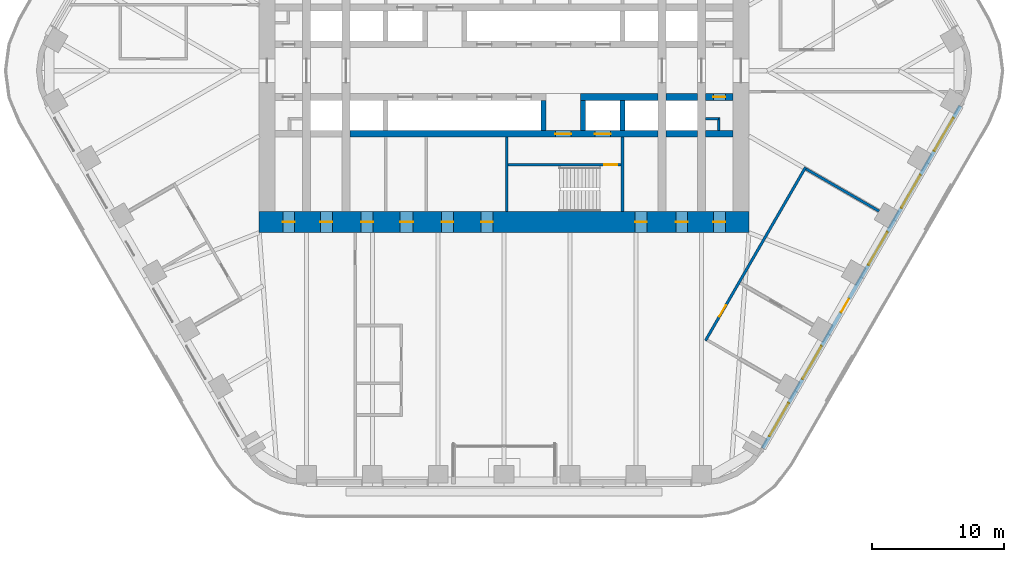
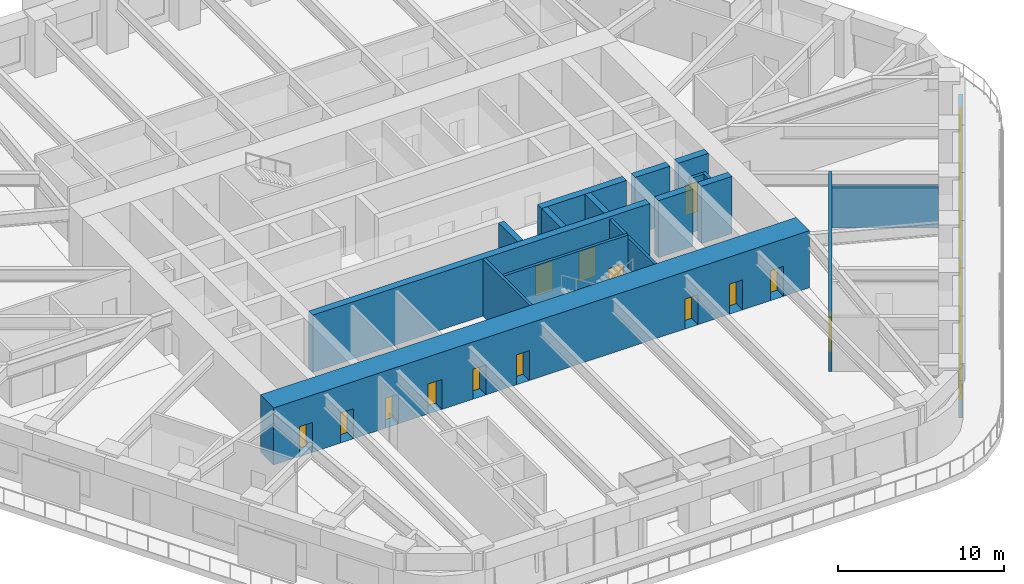
# One storey, part 18 of 24: 18 walls, 15 doors, 5 windows, 20 openings.
"""IFC4 building model written with IfcOpenShell, lengths in metres."""

from ifc_helpers import new_model, si_unit, direction, frame, frame_2d, origin, place, context, subcontext, project, spatial, rectangle, extrude, material, layer, layer_set, type_object, element, fill, save


model = new_model("IFC4")

# Units and contexts
model_context = context("Model", 3, precision=1e-05, world=origin(), true_north=direction((0.0, 1.0)))
body_context = subcontext(model_context, "Body", "Model", "MODEL_VIEW")
ifc_project = project(units=[si_unit("LENGTHUNIT", "METRE"), si_unit("AREAUNIT", "SQUARE_METRE"), si_unit("VOLUMEUNIT", "CUBIC_METRE"), si_unit("PLANEANGLEUNIT", "RADIAN"), si_unit("MASSUNIT", "GRAM", prefix="KILO")], contexts=[model_context])

# Site, building, storey
site_placement = place(None, origin())
site = spatial("IfcSite", under=ifc_project, at=site_placement, CompositionType="ELEMENT")
building_placement = place(site_placement, origin())
building = spatial("IfcBuilding", under=site, at=building_placement, Name="Tarfa Lantern Tower", CompositionType="ELEMENT")
storey_placement = place(building_placement, frame((0.0, 0.0, 190.89990234375)))
storey = spatial("IfcBuildingStorey", under=building, at=storey_placement, Name="L43", CompositionType="ELEMENT", Elevation=190.89990234375)

# Wall, openings, door, windows
ifc_material_1 = material(Name="Limestone cladding on blockwork", Category="masonry")
ifc_layer_1 = layer(ifc_material_1, 0.300048828125)
ifc_layer_set_1 = layer_set([ifc_layer_1], Name="EW1 STONE-CLAD WALL 300")
wall_type_1 = type_object("IfcWallType", Name="EW1 STONE-CLAD WALL 300", PredefinedType="SOLIDWALL", material=ifc_layer_set_1)
wall_1_placement = place(storey_placement, frame((19.644287109375, -28.675048828125, 0.0), z_axis=(0.0, 0.0, 1.0), x_axis=(0.500003084452, 0.866023622968, 0.0)))
wall_1 = element("IfcWall", 1, at=wall_1_placement, inside=storey, type_object=wall_type_1, Name="Stone wall SE", PredefinedType="SOLIDWALL", context=body_context, shape_type="SweptSolid", body=[
    extrude(rectangle(XDim=30.022216796875, YDim=0.300048828125, at=frame_2d((15.01123046875, 0.0))), origin(), (0.0, 0.0, 1.0), 2.75),
])
opening_1_placement = place(wall_1_placement, frame((1.0517578125, 0.0, 0.60009765625)))
opening_1 = element("IfcOpeningElement", 2, at=opening_1_placement, cuts=wall_1, Name="Opening W9", PredefinedType="OPENING", context=body_context, shape_type="SweptSolid", body=[
    extrude(rectangle(XDim=2.89990234375, YDim=1.89990234375, at=frame_2d((1.449951171875, 0.949951171875))), frame((0.0, 0.159912109375, 0.0), z_axis=(0.0, -1.0, 0.0), x_axis=(1.0, 0.0, 0.0)), (0.0, 0.0, 1.0), 0.320068359375),
])
opening_2_placement = place(wall_1_placement, frame((6.0556640625, 0.0, 0.60009765625)))
opening_2 = element("IfcOpeningElement", 3, at=opening_2_placement, cuts=wall_1, Name="Opening W9", PredefinedType="OPENING", context=body_context, shape_type="SweptSolid", body=[
    extrude(rectangle(XDim=2.89990234375, YDim=1.89990234375, at=frame_2d((1.449951171875, 0.949951171875))), frame((0.0, 0.159912109375, 0.0), z_axis=(0.0, -1.0, 0.0), x_axis=(1.0, 0.0, 0.0)), (0.0, 0.0, 1.0), 0.320068359375),
])
opening_3_placement = place(wall_1_placement, frame((11.9091796875, 0.0, 0.0)))
opening_3 = element("IfcOpeningElement", 4, at=opening_3_placement, cuts=wall_1, Name="Opening D51", PredefinedType="OPENING", context=body_context, shape_type="SweptSolid", body=[
    extrude(rectangle(XDim=1.199951171875, YDim=2.39990234375, at=frame_2d((0.60009765625, 1.199951171875))), frame((0.0, 0.159912109375, 0.0), z_axis=(0.0, -1.0, 0.0), x_axis=(1.0, 0.0, 0.0)), (0.0, 0.0, 1.0), 0.320068359375),
])
opening_4_placement = place(wall_1_placement, frame((16.06298828125, 0.0, 0.60009765625)))
opening_4 = element("IfcOpeningElement", 5, at=opening_4_placement, cuts=wall_1, Name="Opening W9", PredefinedType="OPENING", context=body_context, shape_type="SweptSolid", body=[
    extrude(rectangle(XDim=2.89990234375, YDim=1.89990234375, at=frame_2d((1.449951171875, 0.949951171875))), frame((0.0, 0.159912109375, 0.0), z_axis=(0.0, -1.0, 0.0), x_axis=(1.0, 0.0, 0.0)), (0.0, 0.0, 1.0), 0.320068359375),
])
opening_5_placement = place(wall_1_placement, frame((21.066650390625, 0.0, 0.60009765625)))
opening_5 = element("IfcOpeningElement", 6, at=opening_5_placement, cuts=wall_1, Name="Opening W9", PredefinedType="OPENING", context=body_context, shape_type="SweptSolid", body=[
    extrude(rectangle(XDim=2.89990234375, YDim=1.89990234375, at=frame_2d((1.449951171875, 0.949951171875))), frame((0.0, 0.159912109375, 0.0), z_axis=(0.0, -1.0, 0.0), x_axis=(1.0, 0.0, 0.0)), (0.0, 0.0, 1.0), 0.320068359375),
])
opening_6_placement = place(wall_1_placement, frame((26.0703125, 0.0, 0.60009765625)))
opening_6 = element("IfcOpeningElement", 7, at=opening_6_placement, cuts=wall_1, Name="Opening W9", PredefinedType="OPENING", context=body_context, shape_type="SweptSolid", body=[
    extrude(rectangle(XDim=2.89990234375, YDim=1.89990234375, at=frame_2d((1.449951171875, 0.949951171875))), frame((0.0, 0.159912109375, 0.0), z_axis=(0.0, -1.0, 0.0), x_axis=(1.0, 0.0, 0.0)), (0.0, 0.0, 1.0), 0.320068359375),
])
ifc_material_2 = material(Name="Aluminium framed glazed door", Category="aluminium")
door_type_1 = type_object("IfcDoorType", Name="BE3 BALCONY DOOR 1200x2400", OperationType="SINGLE_SWING_RIGHT", PredefinedType="DOOR", material=ifc_material_2)
door_1_placement = place(opening_3_placement, origin())
door_1 = element("IfcDoor", 8, at=door_1_placement, inside=storey, type_object=door_type_1, Name="Balcony door SE", OperationType="SINGLE_SWING_RIGHT", OverallHeight=2.39990234375, OverallWidth=1.199951171875, PredefinedType="DOOR", context=body_context, shape_type="SweptSolid", body=[
    extrude(rectangle(XDim=1.199951171875, YDim=2.39990234375, at=frame_2d((0.60009765625, 1.199951171875))), frame((0.0, 0.02490234375, 0.0), z_axis=(0.0, -1.0, 0.0), x_axis=(1.0, 0.0, 0.0)), (0.0, 0.0, 1.0), 0.050048828125),
])
fill(opening_3, door_1)
ifc_material_3 = material(Name="Aluminium frame, double glazed", Category="aluminium")
window_type = type_object("IfcWindowType", Name="W9 FULL-HEIGHT GLAZING 2900x1900", PartitioningType="SINGLE_PANEL", PredefinedType="WINDOW", material=ifc_material_3)
window_1_placement = place(opening_1_placement, origin())
window_1 = element("IfcWindow", 9, at=window_1_placement, inside=storey, type_object=window_type, Name="Window SE 1", OverallHeight=1.89990234375, OverallWidth=2.89990234375, PartitioningType="SINGLE_PANEL", PredefinedType="WINDOW", context=body_context, shape_type="SweptSolid", body=[
    extrude(rectangle(XDim=2.89990234375, YDim=1.89990234375, at=frame_2d((1.449951171875, 0.949951171875))), frame((0.0, 0.030029296875, 0.0), z_axis=(0.0, -1.0, 0.0), x_axis=(1.0, 0.0, 0.0)), (0.0, 0.0, 1.0), 0.06005859375),
])
fill(opening_1, window_1)
window_2_placement = place(opening_2_placement, origin())
window_2 = element("IfcWindow", 10, at=window_2_placement, inside=storey, type_object=window_type, Name="Window SE 2", OverallHeight=1.89990234375, OverallWidth=2.89990234375, PartitioningType="SINGLE_PANEL", PredefinedType="WINDOW", context=body_context, shape_type="SweptSolid", body=[
    extrude(rectangle(XDim=2.89990234375, YDim=1.89990234375, at=frame_2d((1.449951171875, 0.949951171875))), frame((0.0, 0.030029296875, 0.0), z_axis=(0.0, -1.0, 0.0), x_axis=(1.0, 0.0, 0.0)), (0.0, 0.0, 1.0), 0.06005859375),
])
fill(opening_2, window_2)
window_3_placement = place(opening_4_placement, origin())
window_3 = element("IfcWindow", 11, at=window_3_placement, inside=storey, type_object=window_type, Name="Window SE 4", OverallHeight=1.89990234375, OverallWidth=2.89990234375, PartitioningType="SINGLE_PANEL", PredefinedType="WINDOW", context=body_context, shape_type="SweptSolid", body=[
    extrude(rectangle(XDim=2.89990234375, YDim=1.89990234375, at=frame_2d((1.449951171875, 0.949951171875))), frame((0.0, 0.030029296875, 0.0), z_axis=(0.0, -1.0, 0.0), x_axis=(1.0, 0.0, 0.0)), (0.0, 0.0, 1.0), 0.06005859375),
])
fill(opening_4, window_3)
window_4_placement = place(opening_5_placement, origin())
window_4 = element("IfcWindow", 12, at=window_4_placement, inside=storey, type_object=window_type, Name="Window SE 5", OverallHeight=1.89990234375, OverallWidth=2.89990234375, PartitioningType="SINGLE_PANEL", PredefinedType="WINDOW", context=body_context, shape_type="SweptSolid", body=[
    extrude(rectangle(XDim=2.89990234375, YDim=1.89990234375, at=frame_2d((1.449951171875, 0.949951171875))), frame((0.0, 0.030029296875, 0.0), z_axis=(0.0, -1.0, 0.0), x_axis=(1.0, 0.0, 0.0)), (0.0, 0.0, 1.0), 0.06005859375),
])
fill(opening_5, window_4)
window_5_placement = place(opening_6_placement, origin())
window_5 = element("IfcWindow", 13, at=window_5_placement, inside=storey, type_object=window_type, Name="Window SE 6", OverallHeight=1.89990234375, OverallWidth=2.89990234375, PartitioningType="SINGLE_PANEL", PredefinedType="WINDOW", context=body_context, shape_type="SweptSolid", body=[
    extrude(rectangle(XDim=2.89990234375, YDim=1.89990234375, at=frame_2d((1.449951171875, 0.949951171875))), frame((0.0, 0.030029296875, 0.0), z_axis=(0.0, -1.0, 0.0), x_axis=(1.0, 0.0, 0.0)), (0.0, 0.0, 1.0), 0.06005859375),
])
fill(opening_6, window_5)

# Walls
ifc_material_4 = material(Name="Concrete blockwork", Category="masonry")
ifc_layer_2 = layer(ifc_material_4, 0.199951171875)
ifc_layer_set_2 = layer_set([ifc_layer_2], Name="IW1 BLOCKWORK PARTITION 200 EI 120")
wall_type_2 = type_object("IfcWallType", Name="IW1 BLOCKWORK PARTITION 200 EI 120", PredefinedType="PARTITIONING", material=ifc_layer_set_2)
wall_2_placement = place(storey_placement, frame((9.0, -5.050048828125, 0.0), z_axis=(0.0, 0.0, 1.0), x_axis=(0.0, -1.0, 0.0)))
element("IfcWall", 14, at=wall_2_placement, inside=storey, type_object=wall_type_2, Name="Core partition", PredefinedType="PARTITIONING", context=body_context, shape_type="SweptSolid", body=[
    extrude(rectangle(XDim=5.64990234375, YDim=0.199951171875, at=frame_2d((2.824951171875, 0.0))), origin(), (0.0, 0.0, 1.0), 4.0),
])
for number, where, z_axis, x_axis, name in (
    (15, (16.300048828125, -3.64990234375, 0.0), (0.0, 0.0, 1.0), (-1.0, 0.0, 0.0), "Core partition"),
    (16, (16.300048828125, -3.550048828125, 0.0), (0.0, 0.0, 1.0), (0.0, -1.0, 0.0), "Core partition"),
):
    element("IfcWall", number, at=place(storey_placement, frame(where, z_axis=z_axis, x_axis=x_axis)), inside=storey, type_object=wall_type_2, Name=name, PredefinedType="PARTITIONING", context=body_context, shape_type="SweptSolid", body=[
        extrude(rectangle(XDim=1.0, YDim=0.199951171875, at=frame_2d((0.5, 0.0))), origin(), (0.0, 0.0, 1.0), 4.0),
    ])

# Wall, opening, door
ifc_material_5 = material(Name="Gypsum board on steel studs", Category="steel")
ifc_layer_3 = layer(ifc_material_5, 0.2099609375)
ifc_layer_set_3 = layer_set([ifc_layer_3], Name="IW2 ACOUSTIC PARTITION 200")
wall_type_3 = type_object("IfcWallType", Name="IW2 ACOUSTIC PARTITION 200", PredefinedType="PARTITIONING", material=ifc_layer_set_3)
wall_3_placement = place(storey_placement, frame((15.2978515625, -20.503173828125, 0.0), z_axis=(0.0, 0.0, 1.0), x_axis=(0.500010972563, 0.86601906868, 0.0)))
wall_3 = element("IfcWall", 17, at=wall_3_placement, inside=storey, type_object=wall_type_3, Name="Partition", PredefinedType="PARTITIONING", context=body_context, shape_type="SweptSolid", body=[
    extrude(rectangle(XDim=15.211181640625, YDim=0.199951171875, at=frame_2d((7.60546875, 0.0))), origin(), (0.0, 0.0, 1.0), 4.0),
])
opening_7_placement = place(wall_3_placement, frame((2.101806640625, 0.0, 0.0)))
opening_7 = element("IfcOpeningElement", 18, at=opening_7_placement, cuts=wall_3, Name="Opening D38", PredefinedType="OPENING", context=body_context, shape_type="SweptSolid", body=[
    extrude(rectangle(XDim=1.0, YDim=2.199951171875, at=frame_2d((0.5, 1.10009765625))), frame((0.0, 0.10986328125, 0.0), z_axis=(0.0, -1.0, 0.0), x_axis=(1.0, 0.0, 0.0)), (0.0, 0.0, 1.0), 0.219970703125),
])
ifc_material_6 = material(Name="Timber door", Category="wood")
door_type_2 = type_object("IfcDoorType", Name="DR1 ROOM DOOR 1000x2200", OperationType="SINGLE_SWING_LEFT", PredefinedType="DOOR", material=ifc_material_6)
door_2_placement = place(opening_7_placement, frame((1.0, 0.0, 0.0), z_axis=(0.0, 0.0, 1.0), x_axis=(-1.0, 0.0, 0.0)))
door_2 = element("IfcDoor", 19, at=door_2_placement, inside=storey, type_object=door_type_2, Name="Visitor reception door", OperationType="SINGLE_SWING_LEFT", OverallHeight=2.199951171875, OverallWidth=1.0, PredefinedType="DOOR", context=body_context, shape_type="SweptSolid", body=[
    extrude(rectangle(XDim=1.0, YDim=2.199951171875, at=frame_2d((0.5, 1.10009765625))), frame((0.0, 0.02490234375, 0.0), z_axis=(0.0, -1.0, 0.0), x_axis=(1.0, 0.0, 0.0)), (0.0, 0.0, 1.0), 0.050048828125),
])
fill(opening_7, door_2)

# Walls
wall_4_placement = place(storey_placement, frame((22.93994140625, -7.466552734375, 0.0), z_axis=(0.0, 0.0, 1.0), x_axis=(0.866018518567, -0.500011925357, 0.0)))
element("IfcWall", 20, at=wall_4_placement, inside=storey, type_object=wall_type_3, Name="Partition", PredefinedType="PARTITIONING", context=body_context, shape_type="SweptSolid", body=[
    extrude(rectangle(XDim=6.400146484375, YDim=0.199951171875, at=frame_2d((3.2001953125, 0.0))), origin(), (0.0, 0.0, 1.0), 3.081787109375),
])
ifc_material_7 = material(Name="Concrete C80/95", Category="concrete")
ifc_layer_4 = layer(ifc_material_7, 0.199951171875)
ifc_layer_set_4 = layer_set([ifc_layer_4], Name="SW12 CORE WALL 200")
wall_type_4 = type_object("IfcWallType", Name="SW12 CORE WALL 200", PredefinedType="SHEAR", material=ifc_layer_set_4)
wall_5_placement = place(storey_placement, frame((0.199951171875, -5.050048828125, 0.0), z_axis=(0.0, 0.0, 1.0), x_axis=(0.0, -1.0, 0.0)))
element("IfcWall", 21, at=wall_5_placement, inside=storey, type_object=wall_type_4, Name="Core wall stair shaft S", PredefinedType="SHEAR", context=body_context, shape_type="SweptSolid", body=[
    extrude(rectangle(XDim=5.64990234375, YDim=0.199951171875, at=frame_2d((2.824951171875, 0.0))), origin(), (0.0, 0.0, 1.0), 4.2001953125),
])

# Wall, opening, door
wall_6_placement = place(storey_placement, frame((8.89990234375, -7.14990234375, 0.0), z_axis=(0.0, 0.0, 1.0), x_axis=(-1.0, 0.0, 0.0)))
wall_6 = element("IfcWall", 22, at=wall_6_placement, inside=storey, type_object=wall_type_4, Name="Core wall stair partition S", PredefinedType="SHEAR", context=body_context, shape_type="SweptSolid", body=[
    extrude(rectangle(XDim=8.599853515625, YDim=0.199951171875, at=frame_2d((4.2998046875, 0.0))), origin(), (0.0, 0.0, 1.0), 4.2001953125),
])
opening_8_placement = place(wall_6_placement, frame((0.300048828125, 0.0, 0.0)))
opening_8 = element("IfcOpeningElement", 23, at=opening_8_placement, cuts=wall_6, Name="Opening D28", PredefinedType="OPENING", context=body_context, shape_type="SweptSolid", body=[
    extrude(rectangle(XDim=1.0, YDim=2.199951171875, at=frame_2d((0.5, 1.10009765625))), frame((0.0, 0.10986328125, 0.0), z_axis=(0.0, -1.0, 0.0), x_axis=(1.0, 0.0, 0.0)), (0.0, 0.0, 1.0), 0.219970703125),
])
ifc_material_8 = material(Name="Steel fire door", Category="steel")
door_type_3 = type_object("IfcDoorType", Name="DF2 STAIR DOOR 1000x2200", OperationType="SINGLE_SWING_LEFT", PredefinedType="DOOR", material=ifc_material_8)
door_3_placement = place(opening_8_placement, origin())
door_3 = element("IfcDoor", 24, at=door_3_placement, inside=storey, type_object=door_type_3, Name="Stair door", OperationType="SINGLE_SWING_RIGHT", OverallHeight=2.199951171875, OverallWidth=1.0, PredefinedType="DOOR", context=body_context, shape_type="SweptSolid", body=[
    extrude(rectangle(XDim=1.0, YDim=2.199951171875, at=frame_2d((0.5, 1.10009765625))), frame((0.0, 0.02490234375, 0.0), z_axis=(0.0, -1.0, 0.0), x_axis=(1.0, 0.0, 0.0)), (0.0, 0.0, 1.0), 0.050048828125),
])
fill(opening_8, door_3)

ifc_layer_5 = layer(ifc_material_7, 0.5)
ifc_layer_set_5 = layer_set([ifc_layer_5], Name="SW5 CORE WALL 500")
wall_type_5 = type_object("IfcWallType", Name="SW5 CORE WALL 500", PredefinedType="SHEAR", material=ifc_layer_set_5)
wall_7_placement = place(storey_placement, frame((17.39990234375, -2.0, 0.0), z_axis=(0.0, 0.0, 1.0), x_axis=(-1.0, 0.0, 0.0)))
wall_7 = element("IfcWall", 25, at=wall_7_placement, inside=storey, type_object=wall_type_5, Name="Core wall lobby west S", PredefinedType="SHEAR", context=body_context, shape_type="SweptSolid", body=[
    extrude(rectangle(XDim=2.099853515625, YDim=0.5, at=frame_2d((1.0498046875, 0.0))), origin(), (0.0, 0.0, 1.0), 4.2001953125),
])
opening_9_placement = place(wall_7_placement, frame((0.60009765625, 0.0, 0.0)))
opening_9 = element("IfcOpeningElement", 26, at=opening_9_placement, cuts=wall_7, Name="Opening D20", PredefinedType="OPENING", context=body_context, shape_type="SweptSolid", body=[
    extrude(rectangle(XDim=0.89990234375, YDim=2.199951171875, at=frame_2d((0.449951171875, 1.10009765625))), frame((0.0, 0.260009765625, 0.0), z_axis=(0.0, -1.0, 0.0), x_axis=(1.0, 0.0, 0.0)), (0.0, 0.0, 1.0), 0.52001953125),
])
door_type_4 = type_object("IfcDoorType", Name="DF6 SERVICE ROOM DOOR 900x2200", OperationType="SINGLE_SWING_LEFT", PredefinedType="DOOR", material=ifc_material_8)
door_4_placement = place(opening_9_placement, origin())
door_4 = element("IfcDoor", 27, at=door_4_placement, inside=storey, type_object=door_type_4, Name="Service room door", OperationType="SINGLE_SWING_LEFT", OverallHeight=2.199951171875, OverallWidth=0.89990234375, PredefinedType="DOOR", context=body_context, shape_type="SweptSolid", body=[
    extrude(rectangle(XDim=0.89990234375, YDim=2.199951171875, at=frame_2d((0.449951171875, 1.10009765625))), frame((0.0, 0.02490234375, 0.0), z_axis=(0.0, -1.0, 0.0), x_axis=(1.0, 0.0, 0.0)), (0.0, 0.0, 1.0), 0.050048828125),
])
fill(opening_9, door_4)

# Walls
wall_8_placement = place(storey_placement, frame((14.699951171875, -2.0, 0.0), z_axis=(0.0, 0.0, 1.0), x_axis=(-1.0, 0.0, 0.0)))
element("IfcWall", 28, at=wall_8_placement, inside=storey, type_object=wall_type_5, Name="Core wall lobby west S", PredefinedType="SHEAR", context=body_context, shape_type="SweptSolid", body=[
    extrude(rectangle(XDim=2.39990234375, YDim=0.5, at=frame_2d((1.199951171875, 0.0))), origin(), (0.0, 0.0, 1.0), 4.2001953125),
])
wall_9_placement = place(storey_placement, frame((11.699951171875, -2.0, 0.0), z_axis=(0.0, 0.0, 1.0), x_axis=(-1.0, 0.0, 0.0)))
element("IfcWall", 29, at=wall_9_placement, inside=storey, type_object=wall_type_5, Name="Core wall lobby west S", PredefinedType="SHEAR", context=body_context, shape_type="SweptSolid", body=[
    extrude(rectangle(XDim=5.89990234375, YDim=0.5, at=frame_2d((2.949951171875, 0.0))), origin(), (0.0, 0.0, 1.0), 4.2001953125),
])
wall_10_placement = place(storey_placement, frame((17.39990234375, -4.800048828125, 0.0), z_axis=(0.0, 0.0, 1.0), x_axis=(-1.0, 0.0, 0.0)))
element("IfcWall", 30, at=wall_10_placement, inside=storey, type_object=wall_type_5, Name="Core wall rear S", PredefinedType="SHEAR", context=body_context, shape_type="SweptSolid", body=[
    extrude(rectangle(XDim=2.099853515625, YDim=0.5, at=frame_2d((1.0498046875, 0.0))), origin(), (0.0, 0.0, 1.0), 4.2001953125),
])
wall_11_placement = place(storey_placement, frame((14.699951171875, -4.800048828125, 0.0), z_axis=(0.0, 0.0, 1.0), x_axis=(-1.0, 0.0, 0.0)))
element("IfcWall", 31, at=wall_11_placement, inside=storey, type_object=wall_type_5, Name="Core wall rear S", PredefinedType="SHEAR", context=body_context, shape_type="SweptSolid", body=[
    extrude(rectangle(XDim=2.39990234375, YDim=0.5, at=frame_2d((1.199951171875, 0.0))), origin(), (0.0, 0.0, 1.0), 4.2001953125),
])

# Wall, openings, doors
wall_12_placement = place(storey_placement, frame((11.699951171875, -4.800048828125, 0.0), z_axis=(0.0, 0.0, 1.0), x_axis=(-1.0, 0.0, 0.0)))
wall_12 = element("IfcWall", 32, at=wall_12_placement, inside=storey, type_object=wall_type_5, Name="Core wall rear S", PredefinedType="SHEAR", context=body_context, shape_type="SweptSolid", body=[
    extrude(rectangle(XDim=23.39990234375, YDim=0.5, at=frame_2d((11.699951171875, 0.0))), origin(), (0.0, 0.0, 1.0), 4.2001953125),
])
opening_10_placement = place(wall_12_placement, frame((6.60009765625, 0.0, 0.0)))
opening_10 = element("IfcOpeningElement", 33, at=opening_10_placement, cuts=wall_12, Name="Opening D14", PredefinedType="OPENING", context=body_context, shape_type="SweptSolid", body=[
    extrude(rectangle(XDim=1.199951171875, YDim=2.199951171875, at=frame_2d((0.60009765625, 1.10009765625))), frame((0.0, 0.260009765625, 0.0), z_axis=(0.0, -1.0, 0.0), x_axis=(1.0, 0.0, 0.0)), (0.0, 0.0, 1.0), 0.52001953125),
])
opening_11_placement = place(wall_12_placement, frame((3.60009765625, 0.0, 0.0)))
opening_11 = element("IfcOpeningElement", 34, at=opening_11_placement, cuts=wall_12, Name="Opening LD02", PredefinedType="OPENING", context=body_context, shape_type="SweptSolid", body=[
    extrude(rectangle(XDim=1.199951171875, YDim=2.199951171875, at=frame_2d((0.60009765625, 1.10009765625))), frame((0.0, 0.260009765625, 0.0), z_axis=(0.0, -1.0, 0.0), x_axis=(1.0, 0.0, 0.0)), (0.0, 0.0, 1.0), 0.52001953125),
])
door_type_5 = type_object("IfcDoorType", Name="DF1 FIREFIGHTING LOBBY DOOR 1200x2200", OperationType="SINGLE_SWING_LEFT", PredefinedType="DOOR", material=ifc_material_8)
door_5_placement = place(opening_10_placement, origin())
door_5 = element("IfcDoor", 35, at=door_5_placement, inside=storey, type_object=door_type_5, Name="Firefighting lobby door", OperationType="SINGLE_SWING_LEFT", OverallHeight=2.199951171875, OverallWidth=1.199951171875, PredefinedType="DOOR", context=body_context, shape_type="SweptSolid", body=[
    extrude(rectangle(XDim=1.199951171875, YDim=2.199951171875, at=frame_2d((0.60009765625, 1.10009765625))), frame((0.0, 0.02490234375, 0.0), z_axis=(0.0, -1.0, 0.0), x_axis=(1.0, 0.0, 0.0)), (0.0, 0.0, 1.0), 0.050048828125),
])
fill(opening_10, door_5)
ifc_material_9 = material(Name="Stainless steel lift door", Category="steel")
door_type_6 = type_object("IfcDoorType", Name="LD1 LIFT LANDING DOOR 1200x2200", OperationType="SLIDING_TO_LEFT", PredefinedType="DOOR", material=ifc_material_9)
door_6_placement = place(opening_11_placement, origin())
door_6 = element("IfcDoor", 36, at=door_6_placement, inside=storey, type_object=door_type_6, Name="Landing door FL2", OperationType="SLIDING_TO_LEFT", OverallHeight=2.199951171875, OverallWidth=1.199951171875, PredefinedType="DOOR", context=body_context, shape_type="SweptSolid", body=[
    extrude(rectangle(XDim=1.199951171875, YDim=2.199951171875, at=frame_2d((0.60009765625, 1.10009765625))), frame((0.0, 0.02490234375, 0.0), z_axis=(0.0, -1.0, 0.0), x_axis=(1.0, 0.0, 0.0)), (0.0, 0.0, 1.0), 0.050048828125),
])
fill(opening_11, door_6)

# Walls
ifc_layer_6 = layer(ifc_material_7, 0.39990234375)
ifc_layer_set_6 = layer_set([ifc_layer_6], Name="SW6 CORE WALL 400")
wall_type_6 = type_object("IfcWallType", Name="SW6 CORE WALL 400", PredefinedType="SHEAR", material=ifc_layer_set_6)
for number, where, z_axis, x_axis, name in (
    (37, (9.0, -2.25, 0.0), (0.0, 0.0, 1.0), (0.0, -1.0, 0.0), "Core wall divider S"),
    (38, (6.0, -2.25, 0.0), (0.0, 0.0, 1.0), (0.0, -1.0, 0.0), "Core wall divider S"),
    (39, (3.0, -2.25, 0.0), (0.0, 0.0, 1.0), (0.0, -1.0, 0.0), "Core wall divider S"),
):
    element("IfcWall", number, at=place(storey_placement, frame(where, z_axis=z_axis, x_axis=x_axis)), inside=storey, type_object=wall_type_6, Name=name, PredefinedType="SHEAR", context=body_context, shape_type="SweptSolid", body=[
        extrude(rectangle(XDim=2.300048828125, YDim=0.39990234375, at=frame_2d((1.14990234375, 0.0))), origin(), (0.0, 0.0, 1.0), 4.2001953125),
    ])

# Wall, openings, doors
ifc_layer_7 = layer(ifc_material_7, 1.60009765625)
ifc_layer_set_7 = layer_set([ifc_layer_7], Name="SW7 CORE WALL 1600")
wall_type_7 = type_object("IfcWallType", Name="SW7 CORE WALL 1600", PredefinedType="SHEAR", material=ifc_layer_set_7)
wall_13_placement = place(storey_placement, frame((18.60009765625, -11.5, 0.0), z_axis=(0.0, 0.0, 1.0), x_axis=(-1.0, 0.0, 0.0)))
wall_13 = element("IfcWall", 40, at=wall_13_placement, inside=storey, type_object=wall_type_7, Name="Core wall S", PredefinedType="SHEAR", context=body_context, shape_type="SweptSolid", body=[
    extrude(rectangle(XDim=37.2001953125, YDim=1.60009765625, at=frame_2d((18.60009765625, 0.0))), origin(), (0.0, 0.0, 1.0), 4.2001953125),
])
opening_12_placement = place(wall_13_placement, frame((19.449951171875, 0.0, 0.0)))
opening_12 = element("IfcOpeningElement", 41, at=opening_12_placement, cuts=wall_13, Name="Opening D22", PredefinedType="OPENING", context=body_context, shape_type="SweptSolid", body=[
    extrude(rectangle(XDim=0.89990234375, YDim=2.199951171875, at=frame_2d((0.449951171875, 1.10009765625))), frame((0.0, 0.81005859375, 0.0), z_axis=(0.0, -1.0, 0.0), x_axis=(1.0, 0.0, 0.0)), (0.0, 0.0, 1.0), 1.6201171875),
])
opening_13_placement = place(wall_13_placement, frame((22.449951171875, 0.0, 0.0)))
opening_13 = element("IfcOpeningElement", 42, at=opening_13_placement, cuts=wall_13, Name="Opening D24", PredefinedType="OPENING", context=body_context, shape_type="SweptSolid", body=[
    extrude(rectangle(XDim=0.89990234375, YDim=2.199951171875, at=frame_2d((0.449951171875, 1.10009765625))), frame((0.0, 0.81005859375, 0.0), z_axis=(0.0, -1.0, 0.0), x_axis=(1.0, 0.0, 0.0)), (0.0, 0.0, 1.0), 1.6201171875),
])
opening_14_placement = place(wall_13_placement, frame((25.5, 0.0, 0.0)))
opening_14 = element("IfcOpeningElement", 43, at=opening_14_placement, cuts=wall_13, Name="Opening D26", PredefinedType="OPENING", context=body_context, shape_type="SweptSolid", body=[
    extrude(rectangle(XDim=1.0, YDim=2.199951171875, at=frame_2d((0.5, 1.10009765625))), frame((0.0, 0.81005859375, 0.0), z_axis=(0.0, -1.0, 0.0), x_axis=(1.0, 0.0, 0.0)), (0.0, 0.0, 1.0), 1.6201171875),
])
opening_15_placement = place(wall_13_placement, frame((1.800048828125, 0.0, 0.0)))
opening_15 = element("IfcOpeningElement", 44, at=opening_15_placement, cuts=wall_13, Name="Opening D12", PredefinedType="OPENING", context=body_context, shape_type="SweptSolid", body=[
    extrude(rectangle(XDim=0.89990234375, YDim=2.199951171875, at=frame_2d((0.449951171875, 1.10009765625))), frame((0.0, 0.81005859375, 0.0), z_axis=(0.0, -1.0, 0.0), x_axis=(1.0, 0.0, 0.0)), (0.0, 0.0, 1.0), 1.6201171875),
])
opening_16_placement = place(wall_13_placement, frame((4.64990234375, 0.0, 0.0)))
opening_16 = element("IfcOpeningElement", 45, at=opening_16_placement, cuts=wall_13, Name="Opening D08", PredefinedType="OPENING", context=body_context, shape_type="SweptSolid", body=[
    extrude(rectangle(XDim=0.89990234375, YDim=2.199951171875, at=frame_2d((0.449951171875, 1.10009765625))), frame((0.0, 0.81005859375, 0.0), z_axis=(0.0, -1.0, 0.0), x_axis=(1.0, 0.0, 0.0)), (0.0, 0.0, 1.0), 1.6201171875),
])
opening_17_placement = place(wall_13_placement, frame((7.75, 0.0, 0.0)))
opening_17 = element("IfcOpeningElement", 46, at=opening_17_placement, cuts=wall_13, Name="Opening D10", PredefinedType="OPENING", context=body_context, shape_type="SweptSolid", body=[
    extrude(rectangle(XDim=0.89990234375, YDim=2.199951171875, at=frame_2d((0.449951171875, 1.10009765625))), frame((0.0, 0.81005859375, 0.0), z_axis=(0.0, -1.0, 0.0), x_axis=(1.0, 0.0, 0.0)), (0.0, 0.0, 1.0), 1.6201171875),
])
opening_18_placement = place(wall_13_placement, frame((28.550048828125, 0.0, 0.0)))
opening_18 = element("IfcOpeningElement", 47, at=opening_18_placement, cuts=wall_13, Name="Opening D06", PredefinedType="OPENING", context=body_context, shape_type="SweptSolid", body=[
    extrude(rectangle(XDim=0.89990234375, YDim=2.199951171875, at=frame_2d((0.449951171875, 1.10009765625))), frame((0.0, 0.81005859375, 0.0), z_axis=(0.0, -1.0, 0.0), x_axis=(1.0, 0.0, 0.0)), (0.0, 0.0, 1.0), 1.6201171875),
])
opening_19_placement = place(wall_13_placement, frame((31.64990234375, 0.0, 0.0)))
opening_19 = element("IfcOpeningElement", 48, at=opening_19_placement, cuts=wall_13, Name="Opening D02", PredefinedType="OPENING", context=body_context, shape_type="SweptSolid", body=[
    extrude(rectangle(XDim=0.89990234375, YDim=2.199951171875, at=frame_2d((0.449951171875, 1.10009765625))), frame((0.0, 0.81005859375, 0.0), z_axis=(0.0, -1.0, 0.0), x_axis=(1.0, 0.0, 0.0)), (0.0, 0.0, 1.0), 1.6201171875),
])
opening_20_placement = place(wall_13_placement, frame((34.5, 0.0, 0.0)))
opening_20 = element("IfcOpeningElement", 49, at=opening_20_placement, cuts=wall_13, Name="Opening D04", PredefinedType="OPENING", context=body_context, shape_type="SweptSolid", body=[
    extrude(rectangle(XDim=0.89990234375, YDim=2.199951171875, at=frame_2d((0.449951171875, 1.10009765625))), frame((0.0, 0.81005859375, 0.0), z_axis=(0.0, -1.0, 0.0), x_axis=(1.0, 0.0, 0.0)), (0.0, 0.0, 1.0), 1.6201171875),
])
door_type_7 = type_object("IfcDoorType", Name="DF3 CORE ROOM DOOR 900x2200", OperationType="SINGLE_SWING_LEFT", PredefinedType="DOOR", material=ifc_material_8)
door_7_placement = place(opening_12_placement, frame((0.89990234375, 0.0, 0.0), z_axis=(0.0, 0.0, 1.0), x_axis=(-1.0, 0.0, 0.0)))
door_7 = element("IfcDoor", 50, at=door_7_placement, inside=storey, type_object=door_type_7, Name="Core door", OperationType="SINGLE_SWING_LEFT", OverallHeight=2.199951171875, OverallWidth=0.89990234375, PredefinedType="DOOR", context=body_context, shape_type="SweptSolid", body=[
    extrude(rectangle(XDim=0.89990234375, YDim=2.199951171875, at=frame_2d((0.449951171875, 1.10009765625))), frame((0.0, 0.02490234375, 0.0), z_axis=(0.0, -1.0, 0.0), x_axis=(1.0, 0.0, 0.0)), (0.0, 0.0, 1.0), 0.050048828125),
])
fill(opening_12, door_7)
door_8_placement = place(opening_13_placement, frame((0.89990234375, 0.0, 0.0), z_axis=(0.0, 0.0, 1.0), x_axis=(-1.0, 0.0, 0.0)))
door_8 = element("IfcDoor", 51, at=door_8_placement, inside=storey, type_object=door_type_7, Name="Core door", OperationType="SINGLE_SWING_RIGHT", OverallHeight=2.199951171875, OverallWidth=0.89990234375, PredefinedType="DOOR", context=body_context, shape_type="SweptSolid", body=[
    extrude(rectangle(XDim=0.89990234375, YDim=2.199951171875, at=frame_2d((0.449951171875, 1.10009765625))), frame((0.0, 0.02490234375, 0.0), z_axis=(0.0, -1.0, 0.0), x_axis=(1.0, 0.0, 0.0)), (0.0, 0.0, 1.0), 0.050048828125),
])
fill(opening_13, door_8)
door_type_8 = type_object("IfcDoorType", Name="DF4 CORE ROOM DOOR 1000x2200", OperationType="SINGLE_SWING_LEFT", PredefinedType="DOOR", material=ifc_material_8)
door_9_placement = place(opening_14_placement, frame((1.0, 0.0, 0.0), z_axis=(0.0, 0.0, 1.0), x_axis=(-1.0, 0.0, 0.0)))
door_9 = element("IfcDoor", 52, at=door_9_placement, inside=storey, type_object=door_type_8, Name="Core door", OperationType="SINGLE_SWING_LEFT", OverallHeight=2.199951171875, OverallWidth=1.0, PredefinedType="DOOR", context=body_context, shape_type="SweptSolid", body=[
    extrude(rectangle(XDim=1.0, YDim=2.199951171875, at=frame_2d((0.5, 1.10009765625))), frame((0.0, 0.02490234375, 0.0), z_axis=(0.0, -1.0, 0.0), x_axis=(1.0, 0.0, 0.0)), (0.0, 0.0, 1.0), 0.050048828125),
])
fill(opening_14, door_9)
door_type_9 = type_object("IfcDoorType", Name="DF5 RISER DOOR 900x2200", OperationType="SINGLE_SWING_LEFT", PredefinedType="DOOR", material=ifc_material_8)
door_10_placement = place(opening_15_placement, frame((0.89990234375, 0.0, 0.0), z_axis=(0.0, 0.0, 1.0), x_axis=(-1.0, 0.0, 0.0)))
door_10 = element("IfcDoor", 53, at=door_10_placement, inside=storey, type_object=door_type_9, Name="Riser door", OperationType="SINGLE_SWING_LEFT", OverallHeight=2.199951171875, OverallWidth=0.89990234375, PredefinedType="DOOR", context=body_context, shape_type="SweptSolid", body=[
    extrude(rectangle(XDim=0.89990234375, YDim=2.199951171875, at=frame_2d((0.449951171875, 1.10009765625))), frame((0.0, 0.02490234375, 0.0), z_axis=(0.0, -1.0, 0.0), x_axis=(1.0, 0.0, 0.0)), (0.0, 0.0, 1.0), 0.050048828125),
])
fill(opening_15, door_10)
door_11_placement = place(opening_16_placement, frame((0.89990234375, 0.0, 0.0), z_axis=(0.0, 0.0, 1.0), x_axis=(-1.0, 0.0, 0.0)))
door_11 = element("IfcDoor", 54, at=door_11_placement, inside=storey, type_object=door_type_9, Name="Riser door", OperationType="SINGLE_SWING_LEFT", OverallHeight=2.199951171875, OverallWidth=0.89990234375, PredefinedType="DOOR", context=body_context, shape_type="SweptSolid", body=[
    extrude(rectangle(XDim=0.89990234375, YDim=2.199951171875, at=frame_2d((0.449951171875, 1.10009765625))), frame((0.0, 0.02490234375, 0.0), z_axis=(0.0, -1.0, 0.0), x_axis=(1.0, 0.0, 0.0)), (0.0, 0.0, 1.0), 0.050048828125),
])
fill(opening_16, door_11)
door_12_placement = place(opening_17_placement, frame((0.89990234375, 0.0, 0.0), z_axis=(0.0, 0.0, 1.0), x_axis=(-1.0, 0.0, 0.0)))
door_12 = element("IfcDoor", 55, at=door_12_placement, inside=storey, type_object=door_type_9, Name="Riser door", OperationType="SINGLE_SWING_LEFT", OverallHeight=2.199951171875, OverallWidth=0.89990234375, PredefinedType="DOOR", context=body_context, shape_type="SweptSolid", body=[
    extrude(rectangle(XDim=0.89990234375, YDim=2.199951171875, at=frame_2d((0.449951171875, 1.10009765625))), frame((0.0, 0.02490234375, 0.0), z_axis=(0.0, -1.0, 0.0), x_axis=(1.0, 0.0, 0.0)), (0.0, 0.0, 1.0), 0.050048828125),
])
fill(opening_17, door_12)
door_13_placement = place(opening_18_placement, frame((0.89990234375, 0.0, 0.0), z_axis=(0.0, 0.0, 1.0), x_axis=(-1.0, 0.0, 0.0)))
door_13 = element("IfcDoor", 56, at=door_13_placement, inside=storey, type_object=door_type_9, Name="Riser door", OperationType="SINGLE_SWING_RIGHT", OverallHeight=2.199951171875, OverallWidth=0.89990234375, PredefinedType="DOOR", context=body_context, shape_type="SweptSolid", body=[
    extrude(rectangle(XDim=0.89990234375, YDim=2.199951171875, at=frame_2d((0.449951171875, 1.10009765625))), frame((0.0, 0.02490234375, 0.0), z_axis=(0.0, -1.0, 0.0), x_axis=(1.0, 0.0, 0.0)), (0.0, 0.0, 1.0), 0.050048828125),
])
fill(opening_18, door_13)
door_14_placement = place(opening_19_placement, frame((0.89990234375, 0.0, 0.0), z_axis=(0.0, 0.0, 1.0), x_axis=(-1.0, 0.0, 0.0)))
door_14 = element("IfcDoor", 57, at=door_14_placement, inside=storey, type_object=door_type_9, Name="Riser door", OperationType="SINGLE_SWING_RIGHT", OverallHeight=2.199951171875, OverallWidth=0.89990234375, PredefinedType="DOOR", context=body_context, shape_type="SweptSolid", body=[
    extrude(rectangle(XDim=0.89990234375, YDim=2.199951171875, at=frame_2d((0.449951171875, 1.10009765625))), frame((0.0, 0.02490234375, 0.0), z_axis=(0.0, -1.0, 0.0), x_axis=(1.0, 0.0, 0.0)), (0.0, 0.0, 1.0), 0.050048828125),
])
fill(opening_19, door_14)
door_15_placement = place(opening_20_placement, frame((0.89990234375, 0.0, 0.0), z_axis=(0.0, 0.0, 1.0), x_axis=(-1.0, 0.0, 0.0)))
door_15 = element("IfcDoor", 58, at=door_15_placement, inside=storey, type_object=door_type_9, Name="Riser door", OperationType="SINGLE_SWING_RIGHT", OverallHeight=2.199951171875, OverallWidth=0.89990234375, PredefinedType="DOOR", context=body_context, shape_type="SweptSolid", body=[
    extrude(rectangle(XDim=0.89990234375, YDim=2.199951171875, at=frame_2d((0.449951171875, 1.10009765625))), frame((0.0, 0.02490234375, 0.0), z_axis=(0.0, -1.0, 0.0), x_axis=(1.0, 0.0, 0.0)), (0.0, 0.0, 1.0), 0.050048828125),
])
fill(opening_20, door_15)

save(model, "model.ifc")
